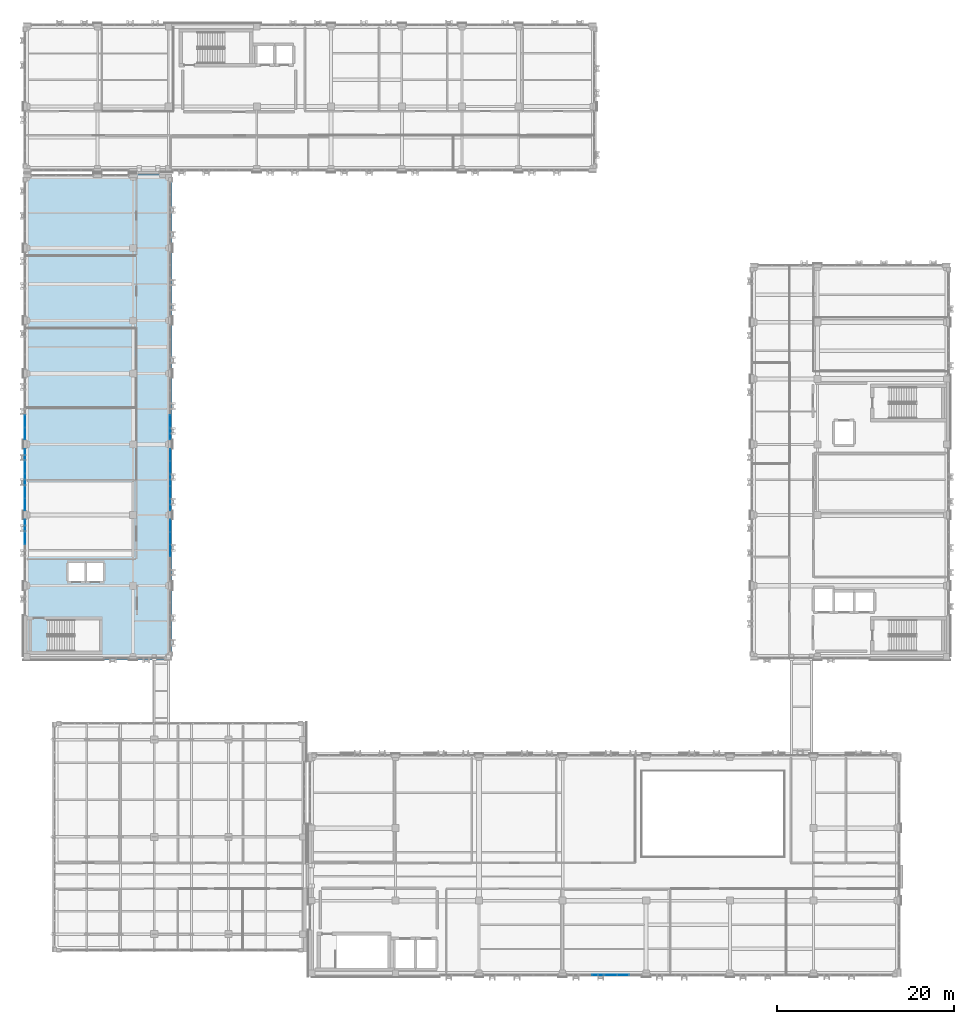
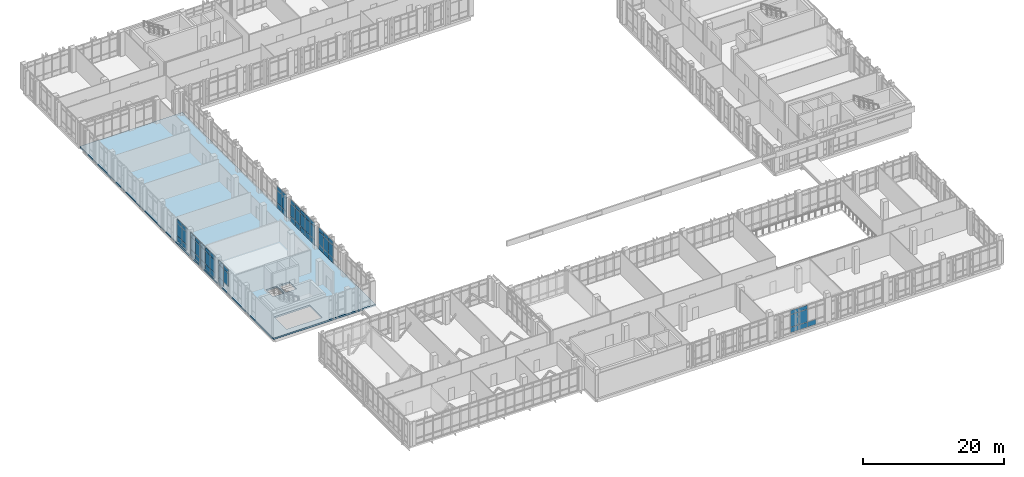
# One storey, part 115 of 158: 63 plates, 1 slab, 7 elements without a shape of their own.
"""IFC4 building model written with IfcOpenShell, lengths in metres."""

from ifc_helpers import new_model, si_unit, direction, frame, origin, origin_2d, place, context, subcontext, project, spatial, polyline, rectangle, outline, extrude, material, layer, layer_set, type_object, element, aggregate, save


model = new_model("IFC4")

# Units and contexts
model_context = context("Model", 3, precision=1e-05, world=origin(), true_north=direction((0.0, 1.0)))
body_context = subcontext(model_context, "Body", "Model", "MODEL_VIEW")
ifc_project = project(units=[si_unit("LENGTHUNIT", "METRE"), si_unit("AREAUNIT", "SQUARE_METRE"), si_unit("VOLUMEUNIT", "CUBIC_METRE"), si_unit("PLANEANGLEUNIT", "RADIAN"), si_unit("MASSUNIT", "GRAM", prefix="KILO")], contexts=[model_context])

# Site, building, storey
site_placement = place(None, origin())
site = spatial("IfcSite", under=ifc_project, at=site_placement, CompositionType="ELEMENT")
building_placement = place(site_placement, origin())
building = spatial("IfcBuilding", under=site, at=building_placement, Name="Qalavern Law Courts", CompositionType="ELEMENT")
storey_placement = place(building_placement, frame((0.0, 0.0, 18.60009765625)))
storey = spatial("IfcBuildingStorey", under=building, at=storey_placement, Name="L04", CompositionType="ELEMENT", Elevation=18.60009765625)

# Curtain wall, plates
ifc_material_1 = material(Name="Anodised aluminium and insulated glazing", Category="aluminium")
ifc_layer_1 = layer(ifc_material_1, 0.159912109375)
ifc_layer_set_1 = layer_set([ifc_layer_1], Name="Anodised aluminium and insulated glazing")
curtain_wall_type_1 = type_object("IfcCurtainWallType", Name="ENV-CW-CHAMB", PredefinedType="USERDEFINED", material=ifc_layer_set_1)
curtain_wall_1_placement = place(storey_placement, origin())
curtain_wall_1 = element("IfcCurtainWall", 1, at=curtain_wall_1_placement, inside=storey, type_object=curtain_wall_type_1, Name="V3 unitised curtain wall L04 east 2", ObjectType="UNITISED CURTAIN WALL", PredefinedType="USERDEFINED")
ifc_material_2 = material(Name="Insulated low-E acoustic glazing", Category="glass")
ifc_layer_2 = layer(ifc_material_2, 0.028076171875)
ifc_layer_set_2 = layer_set([ifc_layer_2], Name="Insulated low-E acoustic glazing")
plate_type_1 = type_object("IfcPlateType", Name="ENV-CWP-28", PredefinedType="CURTAIN_PANEL", material=ifc_layer_set_2)
plate_1_placement = place(storey_placement, frame((18.60009765625, 53.39990234375, 0.0478515625), z_axis=(0.0, 0.0, 1.0), x_axis=(0.0, 1.0, 0.0)))
plate_1 = element("IfcPlate", 2, at=plate_1_placement, type_object=plate_type_1, Name="CW-04 panel 3.1", PredefinedType="CURTAIN_PANEL", context=body_context, shape_type="SweptSolid", body=[
    extrude(rectangle(XDim=1.35205078125, YDim=0.028076171875, at=origin_2d()), origin(), (0.0, 0.0, 1.0), 0.8779296875),
])
plate_2_placement = place(storey_placement, frame((18.60009765625, 53.39990234375, 0.97412109375), z_axis=(0.0, 0.0, 1.0), x_axis=(0.0, 1.0, 0.0)))
plate_2 = element("IfcPlate", 3, at=plate_2_placement, type_object=plate_type_1, Name="CW-04 panel 3.2", PredefinedType="CURTAIN_PANEL", context=body_context, shape_type="SweptSolid", body=[
    extrude(rectangle(XDim=1.35205078125, YDim=0.028076171875, at=origin_2d()), origin(), (0.0, 0.0, 1.0), 2.177001953125),
])
plate_3_placement = place(storey_placement, frame((18.60009765625, 53.39990234375, 3.19873046875), z_axis=(0.0, 0.0, 1.0), x_axis=(0.0, 1.0, 0.0)))
plate_3 = element("IfcPlate", 4, at=plate_3_placement, type_object=plate_type_1, Name="CW-04 panel 3.3", PredefinedType="CURTAIN_PANEL", context=body_context, shape_type="SweptSolid", body=[
    extrude(rectangle(XDim=1.35205078125, YDim=0.028076171875, at=origin_2d()), origin(), (0.0, 0.0, 1.0), 0.677978515625),
])
plate_4_placement = place(storey_placement, frame((18.60009765625, 54.800048828125, 0.0478515625), z_axis=(0.0, 0.0, 1.0), x_axis=(0.0, 1.0, 0.0)))
plate_4 = element("IfcPlate", 5, at=plate_4_placement, type_object=plate_type_1, Name="CW-04 panel 4.1", PredefinedType="CURTAIN_PANEL", context=body_context, shape_type="SweptSolid", body=[
    extrude(rectangle(XDim=1.35205078125, YDim=0.028076171875, at=origin_2d()), origin(), (0.0, 0.0, 1.0), 0.8779296875),
])
plate_5_placement = place(storey_placement, frame((18.60009765625, 54.800048828125, 0.97412109375), z_axis=(0.0, 0.0, 1.0), x_axis=(0.0, 1.0, 0.0)))
plate_5 = element("IfcPlate", 6, at=plate_5_placement, type_object=plate_type_1, Name="CW-04 panel 4.2", PredefinedType="CURTAIN_PANEL", context=body_context, shape_type="SweptSolid", body=[
    extrude(rectangle(XDim=1.35205078125, YDim=0.028076171875, at=origin_2d()), origin(), (0.0, 0.0, 1.0), 2.177001953125),
])
plate_6_placement = place(storey_placement, frame((18.60009765625, 54.800048828125, 3.19873046875), z_axis=(0.0, 0.0, 1.0), x_axis=(0.0, 1.0, 0.0)))
plate_6 = element("IfcPlate", 7, at=plate_6_placement, type_object=plate_type_1, Name="CW-04 panel 4.3", PredefinedType="CURTAIN_PANEL", context=body_context, shape_type="SweptSolid", body=[
    extrude(rectangle(XDim=1.35205078125, YDim=0.028076171875, at=origin_2d()), origin(), (0.0, 0.0, 1.0), 0.677978515625),
])
plate_7_placement = place(storey_placement, frame((18.60009765625, 56.18798828125, 0.0478515625), z_axis=(0.0, 0.0, 1.0), x_axis=(0.0, 1.0, 0.0)))
plate_7 = element("IfcPlate", 8, at=plate_7_placement, type_object=plate_type_1, Name="CW-04 panel 5.1", PredefinedType="CURTAIN_PANEL", context=body_context, shape_type="SweptSolid", body=[
    extrude(rectangle(XDim=1.327880859375, YDim=0.028076171875, at=origin_2d()), origin(), (0.0, 0.0, 1.0), 0.8779296875),
])
plate_8_placement = place(storey_placement, frame((18.60009765625, 56.18798828125, 0.97412109375), z_axis=(0.0, 0.0, 1.0), x_axis=(0.0, 1.0, 0.0)))
plate_8 = element("IfcPlate", 9, at=plate_8_placement, type_object=plate_type_1, Name="CW-04 panel 5.2", PredefinedType="CURTAIN_PANEL", context=body_context, shape_type="SweptSolid", body=[
    extrude(rectangle(XDim=1.327880859375, YDim=0.028076171875, at=origin_2d()), origin(), (0.0, 0.0, 1.0), 2.177001953125),
])
plate_9_placement = place(storey_placement, frame((18.60009765625, 56.18798828125, 3.19873046875), z_axis=(0.0, 0.0, 1.0), x_axis=(0.0, 1.0, 0.0)))
plate_9 = element("IfcPlate", 10, at=plate_9_placement, type_object=plate_type_1, Name="CW-04 panel 5.3", PredefinedType="CURTAIN_PANEL", context=body_context, shape_type="SweptSolid", body=[
    extrude(rectangle(XDim=1.327880859375, YDim=0.028076171875, at=origin_2d()), origin(), (0.0, 0.0, 1.0), 0.677978515625),
])
aggregate(curtain_wall_1, [plate_1, plate_2, plate_3, plate_4, plate_5, plate_6, plate_7, plate_8, plate_9])

ifc_layer_3 = layer(ifc_material_1, 0.18505859375)
ifc_layer_set_3 = layer_set([ifc_layer_3], Name="Anodised aluminium and insulated glazing")
curtain_wall_type_2 = type_object("IfcCurtainWallType", Name="ENV-CW-HALL", PredefinedType="USERDEFINED", material=ifc_layer_set_3)
curtain_wall_2_placement = place(storey_placement, origin())
curtain_wall_2 = element("IfcCurtainWall", 11, at=curtain_wall_2_placement, inside=storey, type_object=curtain_wall_type_2, Name="V2 unitised curtain wall L04 south 3", ObjectType="UNITISED CURTAIN WALL", PredefinedType="USERDEFINED")
ifc_layer_4 = layer(ifc_material_2, 0.031982421875)
ifc_layer_set_4 = layer_set([ifc_layer_4], Name="Insulated low-E acoustic glazing")
plate_type_2 = type_object("IfcPlateType", Name="ENV-CWP-32", PredefinedType="CURTAIN_PANEL", material=ifc_layer_set_4)
plate_10_placement = place(storey_placement, frame((67.00537109375, 5.39990234375, 0.0478515625), z_axis=(0.0, 0.0, 1.0), x_axis=(1.0, 0.0, 0.0)))
plate_10 = element("IfcPlate", 12, at=plate_10_placement, type_object=plate_type_2, Name="CW-02 panel 3.1", PredefinedType="CURTAIN_PANEL", context=body_context, shape_type="SweptSolid", body=[
    extrude(rectangle(XDim=1.361083984375, YDim=0.031982421875, at=origin_2d()), origin(), (0.0, 0.0, 1.0), 0.8779296875),
])
plate_11_placement = place(storey_placement, frame((67.00537109375, 5.39990234375, 0.97412109375), z_axis=(0.0, 0.0, 1.0), x_axis=(1.0, 0.0, 0.0)))
plate_11 = element("IfcPlate", 13, at=plate_11_placement, type_object=plate_type_2, Name="CW-02 panel 3.2", PredefinedType="CURTAIN_PANEL", context=body_context, shape_type="SweptSolid", body=[
    extrude(rectangle(XDim=1.361083984375, YDim=0.031982421875, at=origin_2d()), origin(), (0.0, 0.0, 1.0), 2.177001953125),
])
plate_12_placement = place(storey_placement, frame((67.00537109375, 5.39990234375, 3.19873046875), z_axis=(0.0, 0.0, 1.0), x_axis=(1.0, 0.0, 0.0)))
plate_12 = element("IfcPlate", 14, at=plate_12_placement, type_object=plate_type_2, Name="CW-02 panel 3.3", PredefinedType="CURTAIN_PANEL", context=body_context, shape_type="SweptSolid", body=[
    extrude(rectangle(XDim=1.361083984375, YDim=0.031982421875, at=origin_2d()), origin(), (0.0, 0.0, 1.0), 0.677978515625),
])
plate_13_placement = place(storey_placement, frame((68.41455078125, 5.39990234375, 0.0478515625), z_axis=(0.0, 0.0, 1.0), x_axis=(1.0, 0.0, 0.0)))
plate_13 = element("IfcPlate", 15, at=plate_13_placement, type_object=plate_type_2, Name="CW-02 panel 4.1", PredefinedType="CURTAIN_PANEL", context=body_context, shape_type="SweptSolid", body=[
    extrude(rectangle(XDim=1.361083984375, YDim=0.031982421875, at=origin_2d()), origin(), (0.0, 0.0, 1.0), 0.8779296875),
])
plate_14_placement = place(storey_placement, frame((68.41455078125, 5.39990234375, 0.97412109375), z_axis=(0.0, 0.0, 1.0), x_axis=(1.0, 0.0, 0.0)))
plate_14 = element("IfcPlate", 16, at=plate_14_placement, type_object=plate_type_2, Name="CW-02 panel 4.2", PredefinedType="CURTAIN_PANEL", context=body_context, shape_type="SweptSolid", body=[
    extrude(rectangle(XDim=1.361083984375, YDim=0.031982421875, at=origin_2d()), origin(), (0.0, 0.0, 1.0), 2.177001953125),
])
plate_15_placement = place(storey_placement, frame((68.41455078125, 5.39990234375, 3.19873046875), z_axis=(0.0, 0.0, 1.0), x_axis=(1.0, 0.0, 0.0)))
plate_15 = element("IfcPlate", 17, at=plate_15_placement, type_object=plate_type_2, Name="CW-02 panel 4.3", PredefinedType="CURTAIN_PANEL", context=body_context, shape_type="SweptSolid", body=[
    extrude(rectangle(XDim=1.361083984375, YDim=0.031982421875, at=origin_2d()), origin(), (0.0, 0.0, 1.0), 0.677978515625),
])
plate_16_placement = place(storey_placement, frame((69.823486328125, 5.39990234375, 0.0478515625), z_axis=(0.0, 0.0, 1.0), x_axis=(1.0, 0.0, 0.0)))
plate_16 = element("IfcPlate", 18, at=plate_16_placement, type_object=plate_type_2, Name="CW-02 panel 5.1", PredefinedType="CURTAIN_PANEL", context=body_context, shape_type="SweptSolid", body=[
    extrude(rectangle(XDim=1.361083984375, YDim=0.031982421875, at=origin_2d()), origin(), (0.0, 0.0, 1.0), 0.8779296875),
])
aggregate(curtain_wall_2, [plate_10, plate_11, plate_12, plate_13, plate_14, plate_15, plate_16])

curtain_wall_3_placement = place(storey_placement, origin())
curtain_wall_3 = element("IfcCurtainWall", 19, at=curtain_wall_3_placement, inside=storey, type_object=curtain_wall_type_1, Name="V3 unitised curtain wall L04 east 3", ObjectType="UNITISED CURTAIN WALL", PredefinedType="USERDEFINED")
plate_17_placement = place(storey_placement, frame((18.60009765625, 58.612060546875, 0.0478515625), z_axis=(0.0, 0.0, 1.0), x_axis=(0.0, 1.0, 0.0)))
plate_17 = element("IfcPlate", 20, at=plate_17_placement, type_object=plate_type_2, Name="CW-04 panel 1.1", PredefinedType="CURTAIN_PANEL", context=body_context, shape_type="SweptSolid", body=[
    extrude(rectangle(XDim=1.327880859375, YDim=0.031982421875, at=origin_2d()), origin(), (0.0, 0.0, 1.0), 0.8779296875),
])
plate_18_placement = place(storey_placement, frame((18.60009765625, 58.612060546875, 0.97412109375), z_axis=(0.0, 0.0, 1.0), x_axis=(0.0, 1.0, 0.0)))
plate_18 = element("IfcPlate", 21, at=plate_18_placement, type_object=plate_type_2, Name="CW-04 panel 1.2", PredefinedType="CURTAIN_PANEL", context=body_context, shape_type="SweptSolid", body=[
    extrude(rectangle(XDim=1.327880859375, YDim=0.031982421875, at=origin_2d()), origin(), (0.0, 0.0, 1.0), 2.177001953125),
])
plate_19_placement = place(storey_placement, frame((18.60009765625, 58.612060546875, 3.19873046875), z_axis=(0.0, 0.0, 1.0), x_axis=(0.0, 1.0, 0.0)))
plate_19 = element("IfcPlate", 22, at=plate_19_placement, type_object=plate_type_2, Name="CW-04 panel 1.3", PredefinedType="CURTAIN_PANEL", context=body_context, shape_type="SweptSolid", body=[
    extrude(rectangle(XDim=1.327880859375, YDim=0.031982421875, at=origin_2d()), origin(), (0.0, 0.0, 1.0), 0.677978515625),
])
plate_20_placement = place(storey_placement, frame((18.60009765625, 60.0, 0.0478515625), z_axis=(0.0, 0.0, 1.0), x_axis=(0.0, 1.0, 0.0)))
plate_20 = element("IfcPlate", 23, at=plate_20_placement, type_object=plate_type_2, Name="CW-04 panel 2.1", PredefinedType="CURTAIN_PANEL", context=body_context, shape_type="SweptSolid", body=[
    extrude(rectangle(XDim=1.35205078125, YDim=0.031982421875, at=origin_2d()), origin(), (0.0, 0.0, 1.0), 0.8779296875),
])
plate_21_placement = place(storey_placement, frame((18.60009765625, 60.0, 0.97412109375), z_axis=(0.0, 0.0, 1.0), x_axis=(0.0, 1.0, 0.0)))
plate_21 = element("IfcPlate", 24, at=plate_21_placement, type_object=plate_type_2, Name="CW-04 panel 2.2", PredefinedType="CURTAIN_PANEL", context=body_context, shape_type="SweptSolid", body=[
    extrude(rectangle(XDim=1.35205078125, YDim=0.031982421875, at=origin_2d()), origin(), (0.0, 0.0, 1.0), 2.177001953125),
])
plate_22_placement = place(storey_placement, frame((18.60009765625, 60.0, 3.19873046875), z_axis=(0.0, 0.0, 1.0), x_axis=(0.0, 1.0, 0.0)))
plate_22 = element("IfcPlate", 25, at=plate_22_placement, type_object=plate_type_2, Name="CW-04 panel 2.3", PredefinedType="CURTAIN_PANEL", context=body_context, shape_type="SweptSolid", body=[
    extrude(rectangle(XDim=1.35205078125, YDim=0.031982421875, at=origin_2d()), origin(), (0.0, 0.0, 1.0), 0.677978515625),
])
plate_23_placement = place(storey_placement, frame((18.60009765625, 61.39990234375, 0.0478515625), z_axis=(0.0, 0.0, 1.0), x_axis=(0.0, 1.0, 0.0)))
plate_23 = element("IfcPlate", 26, at=plate_23_placement, type_object=plate_type_2, Name="CW-04 panel 3.1", PredefinedType="CURTAIN_PANEL", context=body_context, shape_type="SweptSolid", body=[
    extrude(rectangle(XDim=1.35205078125, YDim=0.031982421875, at=origin_2d()), origin(), (0.0, 0.0, 1.0), 0.8779296875),
])
plate_24_placement = place(storey_placement, frame((18.60009765625, 61.39990234375, 0.97412109375), z_axis=(0.0, 0.0, 1.0), x_axis=(0.0, 1.0, 0.0)))
plate_24 = element("IfcPlate", 27, at=plate_24_placement, type_object=plate_type_2, Name="CW-04 panel 3.2", PredefinedType="CURTAIN_PANEL", context=body_context, shape_type="SweptSolid", body=[
    extrude(rectangle(XDim=1.35205078125, YDim=0.031982421875, at=origin_2d()), origin(), (0.0, 0.0, 1.0), 2.177001953125),
])
plate_25_placement = place(storey_placement, frame((18.60009765625, 61.39990234375, 3.19873046875), z_axis=(0.0, 0.0, 1.0), x_axis=(0.0, 1.0, 0.0)))
plate_25 = element("IfcPlate", 28, at=plate_25_placement, type_object=plate_type_2, Name="CW-04 panel 3.3", PredefinedType="CURTAIN_PANEL", context=body_context, shape_type="SweptSolid", body=[
    extrude(rectangle(XDim=1.35205078125, YDim=0.031982421875, at=origin_2d()), origin(), (0.0, 0.0, 1.0), 0.677978515625),
])
plate_26_placement = place(storey_placement, frame((18.60009765625, 62.800048828125, 0.0478515625), z_axis=(0.0, 0.0, 1.0), x_axis=(0.0, 1.0, 0.0)))
plate_26 = element("IfcPlate", 29, at=plate_26_placement, type_object=plate_type_2, Name="CW-04 panel 4.1", PredefinedType="CURTAIN_PANEL", context=body_context, shape_type="SweptSolid", body=[
    extrude(rectangle(XDim=1.35205078125, YDim=0.031982421875, at=origin_2d()), origin(), (0.0, 0.0, 1.0), 0.8779296875),
])
plate_27_placement = place(storey_placement, frame((18.60009765625, 62.800048828125, 0.97412109375), z_axis=(0.0, 0.0, 1.0), x_axis=(0.0, 1.0, 0.0)))
plate_27 = element("IfcPlate", 30, at=plate_27_placement, type_object=plate_type_2, Name="CW-04 panel 4.2", PredefinedType="CURTAIN_PANEL", context=body_context, shape_type="SweptSolid", body=[
    extrude(rectangle(XDim=1.35205078125, YDim=0.031982421875, at=origin_2d()), origin(), (0.0, 0.0, 1.0), 2.177001953125),
])
plate_28_placement = place(storey_placement, frame((18.60009765625, 62.800048828125, 3.19873046875), z_axis=(0.0, 0.0, 1.0), x_axis=(0.0, 1.0, 0.0)))
plate_28 = element("IfcPlate", 31, at=plate_28_placement, type_object=plate_type_2, Name="CW-04 panel 4.3", PredefinedType="CURTAIN_PANEL", context=body_context, shape_type="SweptSolid", body=[
    extrude(rectangle(XDim=1.35205078125, YDim=0.031982421875, at=origin_2d()), origin(), (0.0, 0.0, 1.0), 0.677978515625),
])
plate_29_placement = place(storey_placement, frame((18.60009765625, 64.18798828125, 0.0478515625), z_axis=(0.0, 0.0, 1.0), x_axis=(0.0, 1.0, 0.0)))
plate_29 = element("IfcPlate", 32, at=plate_29_placement, type_object=plate_type_2, Name="CW-04 panel 5.1", PredefinedType="CURTAIN_PANEL", context=body_context, shape_type="SweptSolid", body=[
    extrude(rectangle(XDim=1.327880859375, YDim=0.031982421875, at=origin_2d()), origin(), (0.0, 0.0, 1.0), 0.8779296875),
])
plate_30_placement = place(storey_placement, frame((18.60009765625, 64.18798828125, 0.97412109375), z_axis=(0.0, 0.0, 1.0), x_axis=(0.0, 1.0, 0.0)))
plate_30 = element("IfcPlate", 33, at=plate_30_placement, type_object=plate_type_2, Name="CW-04 panel 5.2", PredefinedType="CURTAIN_PANEL", context=body_context, shape_type="SweptSolid", body=[
    extrude(rectangle(XDim=1.327880859375, YDim=0.031982421875, at=origin_2d()), origin(), (0.0, 0.0, 1.0), 2.177001953125),
])
plate_31_placement = place(storey_placement, frame((18.60009765625, 64.18798828125, 3.19873046875), z_axis=(0.0, 0.0, 1.0), x_axis=(0.0, 1.0, 0.0)))
plate_31 = element("IfcPlate", 34, at=plate_31_placement, type_object=plate_type_2, Name="CW-04 panel 5.3", PredefinedType="CURTAIN_PANEL", context=body_context, shape_type="SweptSolid", body=[
    extrude(rectangle(XDim=1.327880859375, YDim=0.031982421875, at=origin_2d()), origin(), (0.0, 0.0, 1.0), 0.677978515625),
])
aggregate(curtain_wall_3, [plate_17, plate_18, plate_19, plate_20, plate_21, plate_22, plate_23, plate_24, plate_25, plate_26, plate_27, plate_28, plate_29, plate_30, plate_31])

curtain_wall_4_placement = place(storey_placement, origin())
curtain_wall_4 = element("IfcCurtainWall", 35, at=curtain_wall_4_placement, inside=storey, type_object=curtain_wall_type_1, Name="V3 unitised curtain wall L04 east 4", ObjectType="UNITISED CURTAIN WALL", PredefinedType="USERDEFINED")
ifc_layer_5 = layer(ifc_material_2, 0.035888671875)
ifc_layer_set_5 = layer_set([ifc_layer_5], Name="Insulated low-E acoustic glazing")
plate_type_3 = type_object("IfcPlateType", Name="ENV-CWP-36", PredefinedType="CURTAIN_PANEL", material=ifc_layer_set_5)
plate_32_placement = place(storey_placement, frame((18.60009765625, 66.612060546875, 0.0478515625), z_axis=(0.0, 0.0, 1.0), x_axis=(0.0, 1.0, 0.0)))
plate_32 = element("IfcPlate", 36, at=plate_32_placement, type_object=plate_type_3, Name="CW-04 panel 1.1", PredefinedType="CURTAIN_PANEL", context=body_context, shape_type="SweptSolid", body=[
    extrude(rectangle(XDim=1.327880859375, YDim=0.035888671875, at=origin_2d()), origin(), (0.0, 0.0, 1.0), 0.8779296875),
])
plate_33_placement = place(storey_placement, frame((18.60009765625, 66.612060546875, 0.97412109375), z_axis=(0.0, 0.0, 1.0), x_axis=(0.0, 1.0, 0.0)))
plate_33 = element("IfcPlate", 37, at=plate_33_placement, type_object=plate_type_3, Name="CW-04 panel 1.2", PredefinedType="CURTAIN_PANEL", context=body_context, shape_type="SweptSolid", body=[
    extrude(rectangle(XDim=1.327880859375, YDim=0.035888671875, at=origin_2d()), origin(), (0.0, 0.0, 1.0), 2.177001953125),
])
plate_34_placement = place(storey_placement, frame((18.60009765625, 66.612060546875, 3.19873046875), z_axis=(0.0, 0.0, 1.0), x_axis=(0.0, 1.0, 0.0)))
plate_34 = element("IfcPlate", 38, at=plate_34_placement, type_object=plate_type_3, Name="CW-04 panel 1.3", PredefinedType="CURTAIN_PANEL", context=body_context, shape_type="SweptSolid", body=[
    extrude(rectangle(XDim=1.327880859375, YDim=0.035888671875, at=origin_2d()), origin(), (0.0, 0.0, 1.0), 0.677978515625),
])
plate_35_placement = place(storey_placement, frame((18.60009765625, 68.0, 0.0478515625), z_axis=(0.0, 0.0, 1.0), x_axis=(0.0, 1.0, 0.0)))
plate_35 = element("IfcPlate", 39, at=plate_35_placement, type_object=plate_type_3, Name="CW-04 panel 2.1", PredefinedType="CURTAIN_PANEL", context=body_context, shape_type="SweptSolid", body=[
    extrude(rectangle(XDim=1.35205078125, YDim=0.035888671875, at=origin_2d()), origin(), (0.0, 0.0, 1.0), 0.8779296875),
])
plate_36_placement = place(storey_placement, frame((18.60009765625, 68.0, 0.97412109375), z_axis=(0.0, 0.0, 1.0), x_axis=(0.0, 1.0, 0.0)))
plate_36 = element("IfcPlate", 40, at=plate_36_placement, type_object=plate_type_3, Name="CW-04 panel 2.2", PredefinedType="CURTAIN_PANEL", context=body_context, shape_type="SweptSolid", body=[
    extrude(rectangle(XDim=1.35205078125, YDim=0.035888671875, at=origin_2d()), origin(), (0.0, 0.0, 1.0), 2.177001953125),
])
plate_37_placement = place(storey_placement, frame((18.60009765625, 68.0, 3.19873046875), z_axis=(0.0, 0.0, 1.0), x_axis=(0.0, 1.0, 0.0)))
plate_37 = element("IfcPlate", 41, at=plate_37_placement, type_object=plate_type_3, Name="CW-04 panel 2.3", PredefinedType="CURTAIN_PANEL", context=body_context, shape_type="SweptSolid", body=[
    extrude(rectangle(XDim=1.35205078125, YDim=0.035888671875, at=origin_2d()), origin(), (0.0, 0.0, 1.0), 0.677978515625),
])
aggregate(curtain_wall_4, [plate_32, plate_33, plate_34, plate_35, plate_36, plate_37])

curtain_wall_5_placement = place(storey_placement, origin())
curtain_wall_5 = element("IfcCurtainWall", 42, at=curtain_wall_5_placement, inside=storey, type_object=curtain_wall_type_1, Name="V3 unitised curtain wall L04 west 4", ObjectType="UNITISED CURTAIN WALL", PredefinedType="USERDEFINED")
plate_38_placement = place(storey_placement, frame((2.199951171875, 68.0, 0.0478515625), z_axis=(0.0, 0.0, 1.0), x_axis=(0.0, -1.0, 0.0)))
plate_38 = element("IfcPlate", 43, at=plate_38_placement, type_object=plate_type_3, Name="CW-04 panel 4.1", PredefinedType="CURTAIN_PANEL", context=body_context, shape_type="SweptSolid", body=[
    extrude(rectangle(XDim=1.35205078125, YDim=0.035888671875, at=origin_2d()), origin(), (0.0, 0.0, 1.0), 0.8779296875),
])
plate_39_placement = place(storey_placement, frame((2.199951171875, 68.0, 0.97412109375), z_axis=(0.0, 0.0, 1.0), x_axis=(0.0, -1.0, 0.0)))
plate_39 = element("IfcPlate", 44, at=plate_39_placement, type_object=plate_type_3, Name="CW-04 panel 4.2", PredefinedType="CURTAIN_PANEL", context=body_context, shape_type="SweptSolid", body=[
    extrude(rectangle(XDim=1.35205078125, YDim=0.035888671875, at=origin_2d()), origin(), (0.0, 0.0, 1.0), 2.177001953125),
])
plate_40_placement = place(storey_placement, frame((2.199951171875, 68.0, 3.19873046875), z_axis=(0.0, 0.0, 1.0), x_axis=(0.0, -1.0, 0.0)))
plate_40 = element("IfcPlate", 45, at=plate_40_placement, type_object=plate_type_3, Name="CW-04 panel 4.3", PredefinedType="CURTAIN_PANEL", context=body_context, shape_type="SweptSolid", body=[
    extrude(rectangle(XDim=1.35205078125, YDim=0.035888671875, at=origin_2d()), origin(), (0.0, 0.0, 1.0), 0.677978515625),
])
plate_41_placement = place(storey_placement, frame((2.199951171875, 66.612060546875, 0.0478515625), z_axis=(0.0, 0.0, 1.0), x_axis=(0.0, -1.0, 0.0)))
plate_41 = element("IfcPlate", 46, at=plate_41_placement, type_object=plate_type_3, Name="CW-04 panel 5.1", PredefinedType="CURTAIN_PANEL", context=body_context, shape_type="SweptSolid", body=[
    extrude(rectangle(XDim=1.327880859375, YDim=0.035888671875, at=origin_2d()), origin(), (0.0, 0.0, 1.0), 0.8779296875),
])
plate_42_placement = place(storey_placement, frame((2.199951171875, 66.612060546875, 0.97412109375), z_axis=(0.0, 0.0, 1.0), x_axis=(0.0, -1.0, 0.0)))
plate_42 = element("IfcPlate", 47, at=plate_42_placement, type_object=plate_type_3, Name="CW-04 panel 5.2", PredefinedType="CURTAIN_PANEL", context=body_context, shape_type="SweptSolid", body=[
    extrude(rectangle(XDim=1.327880859375, YDim=0.035888671875, at=origin_2d()), origin(), (0.0, 0.0, 1.0), 2.177001953125),
])
plate_43_placement = place(storey_placement, frame((2.199951171875, 66.612060546875, 3.19873046875), z_axis=(0.0, 0.0, 1.0), x_axis=(0.0, -1.0, 0.0)))
plate_43 = element("IfcPlate", 48, at=plate_43_placement, type_object=plate_type_3, Name="CW-04 panel 5.3", PredefinedType="CURTAIN_PANEL", context=body_context, shape_type="SweptSolid", body=[
    extrude(rectangle(XDim=1.327880859375, YDim=0.035888671875, at=origin_2d()), origin(), (0.0, 0.0, 1.0), 0.677978515625),
])
aggregate(curtain_wall_5, [plate_38, plate_39, plate_40, plate_41, plate_42, plate_43])

curtain_wall_6_placement = place(storey_placement, origin())
curtain_wall_6 = element("IfcCurtainWall", 49, at=curtain_wall_6_placement, inside=storey, type_object=curtain_wall_type_1, Name="V3 unitised curtain wall L04 west 5", ObjectType="UNITISED CURTAIN WALL", PredefinedType="USERDEFINED")
ifc_layer_6 = layer(ifc_material_2, 0.0400390625)
ifc_layer_set_6 = layer_set([ifc_layer_6], Name="Insulated low-E acoustic glazing")
plate_type_4 = type_object("IfcPlateType", Name="ENV-CWP-40", PredefinedType="CURTAIN_PANEL", material=ifc_layer_set_6)
plate_44_placement = place(storey_placement, frame((2.199951171875, 64.18798828125, 0.0478515625), z_axis=(0.0, 0.0, 1.0), x_axis=(0.0, -1.0, 0.0)))
plate_44 = element("IfcPlate", 50, at=plate_44_placement, type_object=plate_type_4, Name="CW-04 panel 1.1", PredefinedType="CURTAIN_PANEL", context=body_context, shape_type="SweptSolid", body=[
    extrude(rectangle(XDim=1.327880859375, YDim=0.0400390625, at=origin_2d()), origin(), (0.0, 0.0, 1.0), 0.8779296875),
])
plate_45_placement = place(storey_placement, frame((2.199951171875, 64.18798828125, 0.97412109375), z_axis=(0.0, 0.0, 1.0), x_axis=(0.0, -1.0, 0.0)))
plate_45 = element("IfcPlate", 51, at=plate_45_placement, type_object=plate_type_4, Name="CW-04 panel 1.2", PredefinedType="CURTAIN_PANEL", context=body_context, shape_type="SweptSolid", body=[
    extrude(rectangle(XDim=1.327880859375, YDim=0.0400390625, at=origin_2d()), origin(), (0.0, 0.0, 1.0), 2.177001953125),
])
plate_46_placement = place(storey_placement, frame((2.199951171875, 64.18798828125, 3.19873046875), z_axis=(0.0, 0.0, 1.0), x_axis=(0.0, -1.0, 0.0)))
plate_46 = element("IfcPlate", 52, at=plate_46_placement, type_object=plate_type_4, Name="CW-04 panel 1.3", PredefinedType="CURTAIN_PANEL", context=body_context, shape_type="SweptSolid", body=[
    extrude(rectangle(XDim=1.327880859375, YDim=0.0400390625, at=origin_2d()), origin(), (0.0, 0.0, 1.0), 0.677978515625),
])
plate_47_placement = place(storey_placement, frame((2.199951171875, 62.800048828125, 0.0478515625), z_axis=(0.0, 0.0, 1.0), x_axis=(0.0, -1.0, 0.0)))
plate_47 = element("IfcPlate", 53, at=plate_47_placement, type_object=plate_type_4, Name="CW-04 panel 2.1", PredefinedType="CURTAIN_PANEL", context=body_context, shape_type="SweptSolid", body=[
    extrude(rectangle(XDim=1.35205078125, YDim=0.0400390625, at=origin_2d()), origin(), (0.0, 0.0, 1.0), 0.8779296875),
])
plate_48_placement = place(storey_placement, frame((2.199951171875, 62.800048828125, 0.97412109375), z_axis=(0.0, 0.0, 1.0), x_axis=(0.0, -1.0, 0.0)))
plate_48 = element("IfcPlate", 54, at=plate_48_placement, type_object=plate_type_4, Name="CW-04 panel 2.2", PredefinedType="CURTAIN_PANEL", context=body_context, shape_type="SweptSolid", body=[
    extrude(rectangle(XDim=1.35205078125, YDim=0.0400390625, at=origin_2d()), origin(), (0.0, 0.0, 1.0), 2.177001953125),
])
plate_49_placement = place(storey_placement, frame((2.199951171875, 62.800048828125, 3.19873046875), z_axis=(0.0, 0.0, 1.0), x_axis=(0.0, -1.0, 0.0)))
plate_49 = element("IfcPlate", 55, at=plate_49_placement, type_object=plate_type_4, Name="CW-04 panel 2.3", PredefinedType="CURTAIN_PANEL", context=body_context, shape_type="SweptSolid", body=[
    extrude(rectangle(XDim=1.35205078125, YDim=0.0400390625, at=origin_2d()), origin(), (0.0, 0.0, 1.0), 0.677978515625),
])
plate_50_placement = place(storey_placement, frame((2.199951171875, 61.39990234375, 0.0478515625), z_axis=(0.0, 0.0, 1.0), x_axis=(0.0, -1.0, 0.0)))
plate_50 = element("IfcPlate", 56, at=plate_50_placement, type_object=plate_type_4, Name="CW-04 panel 3.1", PredefinedType="CURTAIN_PANEL", context=body_context, shape_type="SweptSolid", body=[
    extrude(rectangle(XDim=1.35205078125, YDim=0.0400390625, at=origin_2d()), origin(), (0.0, 0.0, 1.0), 0.8779296875),
])
plate_51_placement = place(storey_placement, frame((2.199951171875, 61.39990234375, 0.97412109375), z_axis=(0.0, 0.0, 1.0), x_axis=(0.0, -1.0, 0.0)))
plate_51 = element("IfcPlate", 57, at=plate_51_placement, type_object=plate_type_4, Name="CW-04 panel 3.2", PredefinedType="CURTAIN_PANEL", context=body_context, shape_type="SweptSolid", body=[
    extrude(rectangle(XDim=1.35205078125, YDim=0.0400390625, at=origin_2d()), origin(), (0.0, 0.0, 1.0), 2.177001953125),
])
plate_52_placement = place(storey_placement, frame((2.199951171875, 61.39990234375, 3.19873046875), z_axis=(0.0, 0.0, 1.0), x_axis=(0.0, -1.0, 0.0)))
plate_52 = element("IfcPlate", 58, at=plate_52_placement, type_object=plate_type_4, Name="CW-04 panel 3.3", PredefinedType="CURTAIN_PANEL", context=body_context, shape_type="SweptSolid", body=[
    extrude(rectangle(XDim=1.35205078125, YDim=0.0400390625, at=origin_2d()), origin(), (0.0, 0.0, 1.0), 0.677978515625),
])
plate_53_placement = place(storey_placement, frame((2.199951171875, 60.0, 0.0478515625), z_axis=(0.0, 0.0, 1.0), x_axis=(0.0, -1.0, 0.0)))
plate_53 = element("IfcPlate", 59, at=plate_53_placement, type_object=plate_type_4, Name="CW-04 panel 4.1", PredefinedType="CURTAIN_PANEL", context=body_context, shape_type="SweptSolid", body=[
    extrude(rectangle(XDim=1.35205078125, YDim=0.0400390625, at=origin_2d()), origin(), (0.0, 0.0, 1.0), 0.8779296875),
])
plate_54_placement = place(storey_placement, frame((2.199951171875, 60.0, 0.97412109375), z_axis=(0.0, 0.0, 1.0), x_axis=(0.0, -1.0, 0.0)))
plate_54 = element("IfcPlate", 60, at=plate_54_placement, type_object=plate_type_4, Name="CW-04 panel 4.2", PredefinedType="CURTAIN_PANEL", context=body_context, shape_type="SweptSolid", body=[
    extrude(rectangle(XDim=1.35205078125, YDim=0.0400390625, at=origin_2d()), origin(), (0.0, 0.0, 1.0), 2.177001953125),
])
plate_55_placement = place(storey_placement, frame((2.199951171875, 60.0, 3.19873046875), z_axis=(0.0, 0.0, 1.0), x_axis=(0.0, -1.0, 0.0)))
plate_55 = element("IfcPlate", 61, at=plate_55_placement, type_object=plate_type_4, Name="CW-04 panel 4.3", PredefinedType="CURTAIN_PANEL", context=body_context, shape_type="SweptSolid", body=[
    extrude(rectangle(XDim=1.35205078125, YDim=0.0400390625, at=origin_2d()), origin(), (0.0, 0.0, 1.0), 0.677978515625),
])
plate_56_placement = place(storey_placement, frame((2.199951171875, 58.612060546875, 0.0478515625), z_axis=(0.0, 0.0, 1.0), x_axis=(0.0, -1.0, 0.0)))
plate_56 = element("IfcPlate", 62, at=plate_56_placement, type_object=plate_type_4, Name="CW-04 panel 5.1", PredefinedType="CURTAIN_PANEL", context=body_context, shape_type="SweptSolid", body=[
    extrude(rectangle(XDim=1.327880859375, YDim=0.0400390625, at=origin_2d()), origin(), (0.0, 0.0, 1.0), 0.8779296875),
])
plate_57_placement = place(storey_placement, frame((2.199951171875, 58.612060546875, 0.97412109375), z_axis=(0.0, 0.0, 1.0), x_axis=(0.0, -1.0, 0.0)))
plate_57 = element("IfcPlate", 63, at=plate_57_placement, type_object=plate_type_4, Name="CW-04 panel 5.2", PredefinedType="CURTAIN_PANEL", context=body_context, shape_type="SweptSolid", body=[
    extrude(rectangle(XDim=1.327880859375, YDim=0.0400390625, at=origin_2d()), origin(), (0.0, 0.0, 1.0), 2.177001953125),
])
plate_58_placement = place(storey_placement, frame((2.199951171875, 58.612060546875, 3.19873046875), z_axis=(0.0, 0.0, 1.0), x_axis=(0.0, -1.0, 0.0)))
plate_58 = element("IfcPlate", 64, at=plate_58_placement, type_object=plate_type_4, Name="CW-04 panel 5.3", PredefinedType="CURTAIN_PANEL", context=body_context, shape_type="SweptSolid", body=[
    extrude(rectangle(XDim=1.327880859375, YDim=0.0400390625, at=origin_2d()), origin(), (0.0, 0.0, 1.0), 0.677978515625),
])
aggregate(curtain_wall_6, [plate_44, plate_45, plate_46, plate_47, plate_48, plate_49, plate_50, plate_51, plate_52, plate_53, plate_54, plate_55, plate_56, plate_57, plate_58])

curtain_wall_7_placement = place(storey_placement, origin())
curtain_wall_7 = element("IfcCurtainWall", 65, at=curtain_wall_7_placement, inside=storey, type_object=curtain_wall_type_1, Name="V3 unitised curtain wall L04 west 6", ObjectType="UNITISED CURTAIN WALL", PredefinedType="USERDEFINED")
ifc_layer_7 = layer(ifc_material_2, 0.0439453125)
ifc_layer_set_7 = layer_set([ifc_layer_7], Name="Insulated low-E acoustic glazing")
plate_type_5 = type_object("IfcPlateType", Name="ENV-CWP-44", PredefinedType="CURTAIN_PANEL", material=ifc_layer_set_7)
plate_59_placement = place(storey_placement, frame((2.199951171875, 56.18798828125, 0.0478515625), z_axis=(0.0, 0.0, 1.0), x_axis=(0.0, -1.0, 0.0)))
plate_59 = element("IfcPlate", 66, at=plate_59_placement, type_object=plate_type_5, Name="CW-04 panel 1.1", PredefinedType="CURTAIN_PANEL", context=body_context, shape_type="SweptSolid", body=[
    extrude(rectangle(XDim=1.327880859375, YDim=0.0439453125, at=origin_2d()), origin(), (0.0, 0.0, 1.0), 0.8779296875),
])
plate_60_placement = place(storey_placement, frame((2.199951171875, 56.18798828125, 0.97412109375), z_axis=(0.0, 0.0, 1.0), x_axis=(0.0, -1.0, 0.0)))
plate_60 = element("IfcPlate", 67, at=plate_60_placement, type_object=plate_type_5, Name="CW-04 panel 1.2", PredefinedType="CURTAIN_PANEL", context=body_context, shape_type="SweptSolid", body=[
    extrude(rectangle(XDim=1.327880859375, YDim=0.0439453125, at=origin_2d()), origin(), (0.0, 0.0, 1.0), 2.177001953125),
])
plate_61_placement = place(storey_placement, frame((2.199951171875, 56.18798828125, 3.19873046875), z_axis=(0.0, 0.0, 1.0), x_axis=(0.0, -1.0, 0.0)))
plate_61 = element("IfcPlate", 68, at=plate_61_placement, type_object=plate_type_5, Name="CW-04 panel 1.3", PredefinedType="CURTAIN_PANEL", context=body_context, shape_type="SweptSolid", body=[
    extrude(rectangle(XDim=1.327880859375, YDim=0.0439453125, at=origin_2d()), origin(), (0.0, 0.0, 1.0), 0.677978515625),
])
plate_62_placement = place(storey_placement, frame((2.199951171875, 54.800048828125, 0.97412109375), z_axis=(0.0, 0.0, 1.0), x_axis=(0.0, -1.0, 0.0)))
plate_62 = element("IfcPlate", 69, at=plate_62_placement, type_object=plate_type_5, Name="CW-04 panel 2.2", PredefinedType="CURTAIN_PANEL", context=body_context, shape_type="SweptSolid", body=[
    extrude(rectangle(XDim=1.35205078125, YDim=0.0439453125, at=origin_2d()), origin(), (0.0, 0.0, 1.0), 2.177001953125),
])
plate_63_placement = place(storey_placement, frame((2.199951171875, 54.800048828125, 3.19873046875), z_axis=(0.0, 0.0, 1.0), x_axis=(0.0, -1.0, 0.0)))
plate_63 = element("IfcPlate", 70, at=plate_63_placement, type_object=plate_type_5, Name="CW-04 panel 2.3", PredefinedType="CURTAIN_PANEL", context=body_context, shape_type="SweptSolid", body=[
    extrude(rectangle(XDim=1.35205078125, YDim=0.0439453125, at=origin_2d()), origin(), (0.0, 0.0, 1.0), 0.677978515625),
])
aggregate(curtain_wall_7, [plate_59, plate_60, plate_61, plate_62, plate_63])

# Slab
ifc_material_3 = material(Name="Concrete C35/45", Category="concrete")
ifc_layer_8 = layer(ifc_material_3, 0.280029296875)
ifc_layer_set_8 = layer_set([ifc_layer_8], Name="Concrete C35/45")
slab_type = type_object("IfcSlabType", Name="STR-SLB-L04-280", PredefinedType="FLOOR", material=ifc_layer_set_8)
slab_placement = place(storey_placement, frame((0.0, 0.0, -0.280029296875)))
element("IfcSlab", 71, at=slab_placement, inside=storey, type_object=slab_type, Name="V3 floor slab L04", PredefinedType="FLOOR", context=body_context, shape_type="SweptSolid", body=[
    extrude(outline(polyline([(2.0, 41.02001953125), (18.800048828125, 41.02001953125), (18.800048828125, 95.97998046875), (2.0, 95.97998046875), (2.0, 41.02001953125)]), holes=[polyline([(4.739990234375, 42.0), (10.60009765625, 42.0), (10.60009765625, 45.550048828125), (4.739990234375, 45.550048828125), (4.739990234375, 42.0)]), polyline([(7.10009765625, 49.949951171875), (8.89990234375, 49.949951171875), (8.89990234375, 51.949951171875), (7.10009765625, 51.949951171875), (7.10009765625, 49.949951171875)]), polyline([(9.199951171875, 49.949951171875), (11.0, 49.949951171875), (11.0, 51.949951171875), (9.199951171875, 51.949951171875), (9.199951171875, 49.949951171875)])]), origin(), (0.0, 0.0, 1.0), 0.280029296875),
])

save(model, "model.ifc")
